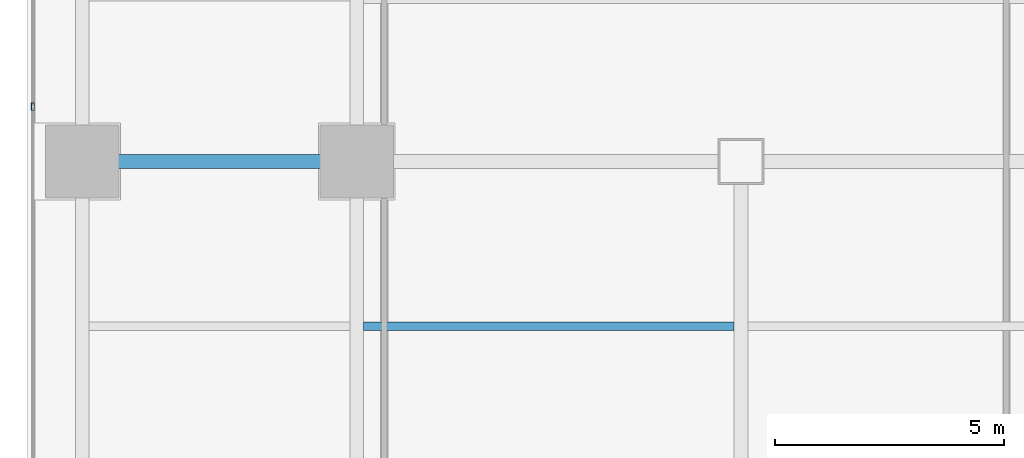
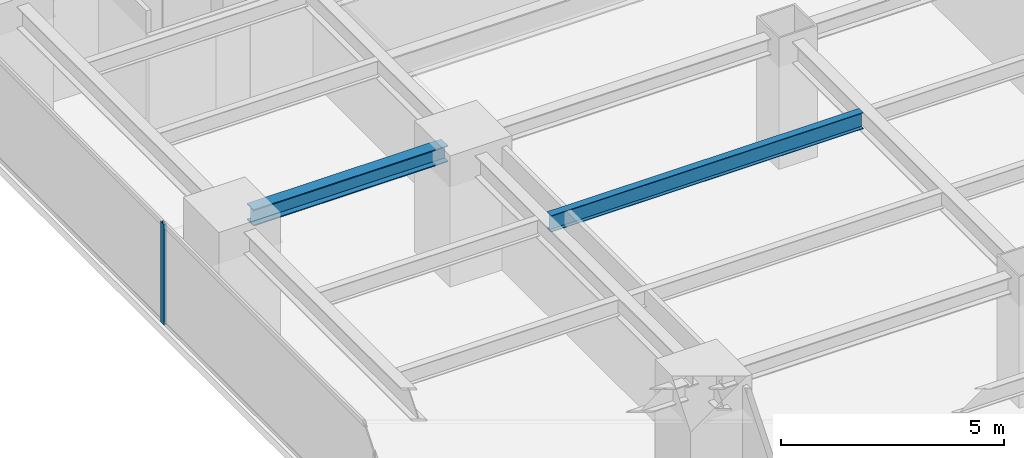
# One storey, part 7 of 27: 2 beams, 1 member, 1 element without a shape of its own.
"""IFC4 building model written with IfcOpenShell, lengths in metres."""

from ifc_helpers import new_model, si_unit, direction, frame, origin, origin_2d, place, context, subcontext, project, spatial, hollow_rectangle, i_section, extrude, source, transform, mapped, material, layer, layer_set, material_profile, profile_set, type_object, element, aggregate, save


model = new_model("IFC4")

# Units and contexts
model_context = context("Model", 3, precision=1e-05, world=origin(), true_north=direction((0.0, 1.0)))
body_context = subcontext(model_context, "Body", "Model", "MODEL_VIEW")
ifc_project = project(units=[si_unit("LENGTHUNIT", "METRE"), si_unit("AREAUNIT", "SQUARE_METRE"), si_unit("VOLUMEUNIT", "CUBIC_METRE"), si_unit("PLANEANGLEUNIT", "RADIAN"), si_unit("MASSUNIT", "GRAM", prefix="KILO")], contexts=[model_context])

# Site, building, storey
site_placement = place(None, origin())
site = spatial("IfcSite", under=ifc_project, at=site_placement, CompositionType="ELEMENT")
building_placement = place(site_placement, origin())
building = spatial("IfcBuilding", under=site, at=building_placement, Name="Sumidabori Civic Tower", CompositionType="ELEMENT")
storey_placement = place(building_placement, frame((0.0, 0.0, 138.800048828125)))
storey = spatial("IfcBuildingStorey", under=building, at=storey_placement, Name="L35", CompositionType="ELEMENT", Elevation=138.800048828125)

# Beams
ifc_material_1 = material(Name="Steel SN490", Category="steel")
ifc_material_profile_1 = material_profile(ifc_material_1, i_section(OverallWidth=0.18994140625, OverallDepth=0.449951171875, WebThickness=0.009521484375, FlangeThickness=0.0146484375, at=origin_2d()), Name="IPE 450")
ifc_profile_set_1 = profile_set([ifc_material_profile_1], Name="Steel SN490")
beam_type_1 = type_object("IfcBeamType", Name="BM-JST-450", PredefinedType="JOIST", material=ifc_profile_set_1)
shared_shape_1 = source(origin(), body_context, "Body", "SweptSolid", [
    extrude(i_section(OverallWidth=0.18994140625, OverallDepth=0.449951171875, WebThickness=0.009521484375, FlangeThickness=0.0146484375, at=origin_2d()), origin(), (0.0, 0.0, 1.0), 8.099853515625),
])
beam_1_placement = place(storey_placement, frame((-16.64990234375, -3.60009765625, 3.155029296875), z_axis=(1.0, 0.0, 0.0), x_axis=(0.0, 1.0, 0.0)))
element("IfcBeam", 1, at=beam_1_placement, inside=storey, type_object=beam_type_1, Name="South Bay Floor Joist L35 JSTS-57", PredefinedType="JOIST", context=body_context, shape_type="MappedRepresentation", body=[
    mapped(shared_shape_1, transform((0.0, 0.0, 0.0), x_axis=(1.0, 0.0, 0.0), y_axis=(0.0, 1.0, 0.0), z_axis=(0.0, 0.0, 1.0), scale=1.0)),
])
ifc_material_profile_2 = material_profile(ifc_material_1, i_section(OverallWidth=0.300048828125, OverallDepth=0.449951171875, WebThickness=0.013916015625, FlangeThickness=0.02587890625, at=origin_2d()), Name="HE 450 B")
ifc_profile_set_2 = profile_set([ifc_material_profile_2], Name="Steel SN490")
beam_type_2 = type_object("IfcBeamType", Name="BM-GIRD-450", PredefinedType="BEAM", material=ifc_profile_set_2)
shared_shape_2 = source(origin(), body_context, "Body", "SweptSolid", [
    extrude(i_section(OverallWidth=0.300048828125, OverallDepth=0.449951171875, WebThickness=0.013916015625, FlangeThickness=0.02587890625, at=origin_2d()), origin(), (0.0, 0.0, 1.0), 5.0400390625),
])
beam_2_placement = place(storey_placement, frame((-22.320068359375, 0.0, 3.155029296875), z_axis=(1.0, 0.0, 0.0), x_axis=(0.0, 1.0, 0.0)))
element("IfcBeam", 2, at=beam_2_placement, inside=storey, type_object=beam_type_2, Name="Primary Girder L35 GX-11", PredefinedType="BEAM", context=body_context, shape_type="MappedRepresentation", body=[
    mapped(shared_shape_2, transform((0.0, 0.0, 0.0), x_axis=(1.0, 0.0, 0.0), y_axis=(0.0, 1.0, 0.0), z_axis=(0.0, 0.0, 1.0), scale=1.0)),
])

# Curtain wall, member
ifc_material_2 = material(Name="Anodised Bronze Aluminium AW-6063-T6", Category="aluminium")
ifc_layer = layer(ifc_material_2, 0.179931640625, Name="Anodised Bronze Aluminium AW-6063-T6")
ifc_layer_set = layer_set([ifc_layer], Name="Anodised Bronze Aluminium AW-6063-T6")
curtain_wall_type = type_object("IfcCurtainWallType", Name="CW-SYS-3", PredefinedType="NOTDEFINED", material=ifc_layer_set)
curtain_wall_placement = place(storey_placement, origin())
curtain_wall = element("IfcCurtainWall", 3, at=curtain_wall_placement, inside=storey, type_object=curtain_wall_type, Name="Curtain Wall CW:L35:R10", PredefinedType="NOTDEFINED")
ifc_material_profile_3 = material_profile(ifc_material_2, hollow_rectangle(XDim=0.06494140625, YDim=0.159912109375, WallThickness=0.0048828125, at=origin_2d()), Name="ALU MULLION 160x65")
ifc_profile_set_3 = profile_set([ifc_material_profile_3], Name="Anodised Bronze Aluminium AW-6063-T6")
member_type = type_object("IfcMemberType", Name="CW-MUL-160", PredefinedType="MULLION", material=ifc_profile_set_3)
shared_shape_3 = source(origin(), body_context, "Body", "SweptSolid", [
    extrude(hollow_rectangle(XDim=0.06494140625, YDim=0.159912109375, WallThickness=0.0048828125, at=origin_2d()), origin(), (0.0, 0.0, 1.0), 2.760009765625),
])
member_placement = place(storey_placement, frame((-23.8798828125, 1.199951171875, 0.0), z_axis=(0.0, 0.0, 1.0), x_axis=(1.0, 0.0, 0.0)))
member = element("IfcMember", 4, at=member_placement, type_object=member_type, Name="CW-3 mullion 3", PredefinedType="MULLION", context=body_context, shape_type="MappedRepresentation", body=[
    mapped(shared_shape_3, transform((0.0, 0.0, 0.0), x_axis=(1.0, 0.0, 0.0), y_axis=(0.0, 1.0, 0.0), z_axis=(0.0, 0.0, 1.0), scale=1.0)),
])
aggregate(curtain_wall, [member])

save(model, "model.ifc")
